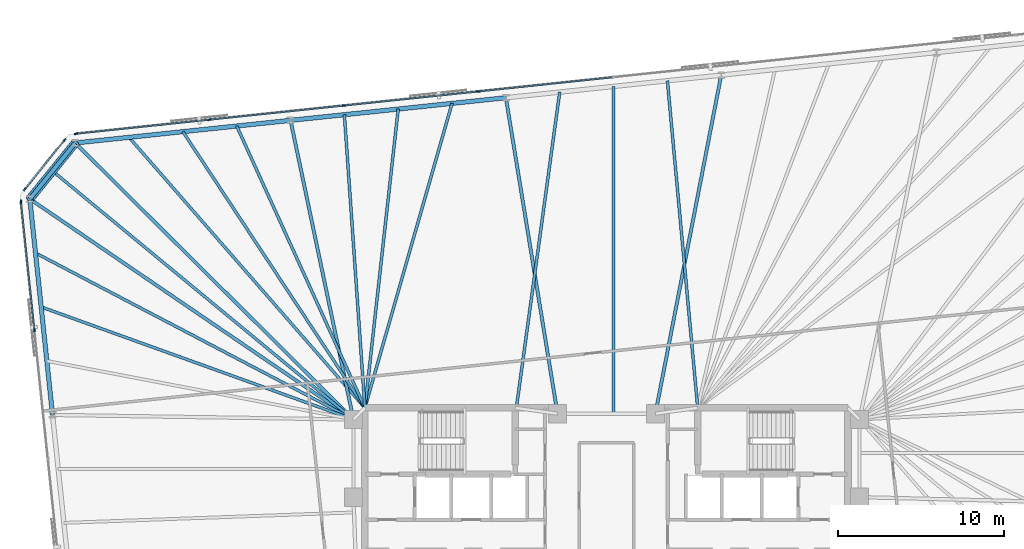
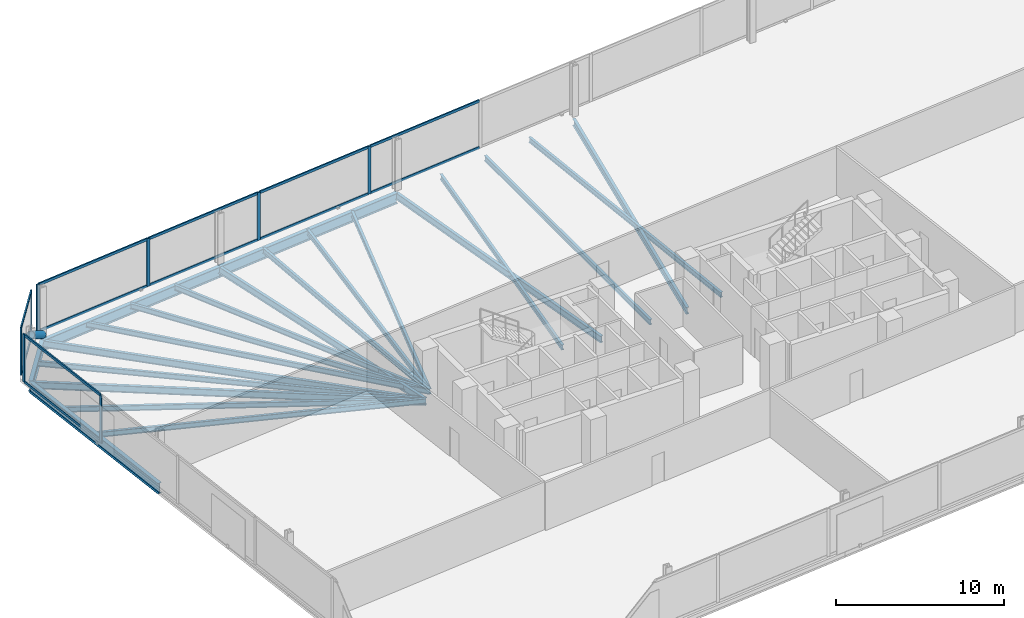
# One storey, part 9 of 17: 21 beams, 21 members, 3 elements without a shape of their own.
"""IFC4 building model written with IfcOpenShell, lengths in metres."""

from ifc_helpers import new_model, si_unit, direction, frame, origin, origin_2d, place, context, subcontext, project, spatial, rectangle, hollow_circle, i_section, extrude, material, material_profile, profile_set, type_object, element, aggregate, save


model = new_model("IFC4")

# Units and contexts
model_context = context("Model", 3, precision=1e-05, world=origin(), true_north=direction((0.0, 1.0)))
body_context = subcontext(model_context, "Body", "Model", "MODEL_VIEW")
ifc_project = project(units=[si_unit("LENGTHUNIT", "METRE"), si_unit("AREAUNIT", "SQUARE_METRE"), si_unit("VOLUMEUNIT", "CUBIC_METRE"), si_unit("PLANEANGLEUNIT", "RADIAN"), si_unit("MASSUNIT", "GRAM", prefix="KILO")], contexts=[model_context])

# Site, building, storey
site_placement = place(None, origin())
site = spatial("IfcSite", under=ifc_project, at=site_placement, CompositionType="ELEMENT")
building_placement = place(site_placement, origin())
building = spatial("IfcBuilding", under=site, at=building_placement, Name="Menara Jurai Vektor", CompositionType="ELEMENT")
storey_placement = place(building_placement, frame((0.0, 0.0, 109.60009765625)))
storey = spatial("IfcBuildingStorey", under=building, at=storey_placement, Name="L27", CompositionType="ELEMENT", Elevation=109.60009765625)

# Curtain wall, members
ifc_material_1 = material(Name="Anodised Pale Aluminium & Low-E Double Glazing", Category="aluminium")
curtain_wall_type = type_object("IfcCurtainWallType", Name="CW-BLK2", PredefinedType="NOTDEFINED", material=ifc_material_1)
curtain_wall_1_placement = place(storey_placement, origin())
curtain_wall_1 = element("IfcCurtainWall", 1, at=curtain_wall_1_placement, inside=storey, type_object=curtain_wall_type, Name="Unitised Curtain Wall L27 F05", PredefinedType="NOTDEFINED")
ifc_material_2 = material(Name="Anodised Pale Aluminium Mullion", Category="aluminium")
ifc_material_profile_1 = material_profile(ifc_material_2, rectangle(XDim=0.090087890625, YDim=0.219970703125, at=origin_2d()), Name="ALU MUL 90x220")
ifc_profile_set_1 = profile_set([ifc_material_profile_1], Name="Anodised Pale Aluminium Mullion")
member_type_1 = type_object("IfcMemberType", Name="CW-BLK2-MUL", PredefinedType="MULLION", material=ifc_profile_set_1)
member_1_placement = place(storey_placement, frame((-7.728271484375, 24.67138671875, 0.0), z_axis=(0.0, 0.0, 1.0), x_axis=(0.104528634935, -0.994521877325, 0.0)))
member_1 = element("IfcMember", 2, at=member_1_placement, type_object=member_type_1, Name="CW-02 mullion 6", PredefinedType="MULLION", context=body_context, shape_type="SweptSolid", body=[
    extrude(rectangle(XDim=0.090087890625, YDim=0.219970703125, at=origin_2d()), origin(), (0.0, 0.0, 1.0), 3.474853515625),
])
member_2_placement = place(storey_placement, frame((-15.826171875, 23.8203125, 0.0), z_axis=(0.0, 0.0, 1.0), x_axis=(0.104528634935, -0.994521877325, 0.0)))
member_2 = element("IfcMember", 3, at=member_2_placement, type_object=member_type_1, Name="CW-02 mullion 7", PredefinedType="MULLION", context=body_context, shape_type="SweptSolid", body=[
    extrude(rectangle(XDim=0.090087890625, YDim=0.219970703125, at=origin_2d()), origin(), (0.0, 0.0, 1.0), 3.474853515625),
])
member_3_placement = place(storey_placement, frame((-23.924072265625, 22.96923828125, 0.0), z_axis=(0.0, 0.0, 1.0), x_axis=(0.104528634935, -0.994521877325, 0.0)))
member_3 = element("IfcMember", 4, at=member_3_placement, type_object=member_type_1, Name="CW-02 mullion 8", PredefinedType="MULLION", context=body_context, shape_type="SweptSolid", body=[
    extrude(rectangle(XDim=0.090087890625, YDim=0.219970703125, at=origin_2d()), origin(), (0.0, 0.0, 1.0), 3.474853515625),
])
member_4_placement = place(storey_placement, frame((-31.97705078125, 22.122802734375, 0.0), z_axis=(0.0, 0.0, 1.0), x_axis=(0.104528634935, -0.994521877325, 0.0)))
member_4 = element("IfcMember", 5, at=member_4_placement, type_object=member_type_1, Name="CW-02 mullion 9", PredefinedType="MULLION", context=body_context, shape_type="SweptSolid", body=[
    extrude(rectangle(XDim=0.090087890625, YDim=0.219970703125, at=origin_2d()), origin(), (0.0, 0.0, 1.0), 3.474853515625),
])

curtain_wall_2_placement = place(storey_placement, origin())
curtain_wall_2 = element("IfcCurtainWall", 6, at=curtain_wall_2_placement, inside=storey, type_object=curtain_wall_type, Name="Unitised Curtain Wall L27 F06", PredefinedType="NOTDEFINED")
member_5_placement = place(storey_placement, frame((-32.667236328125, 21.748046875, 0.0), z_axis=(0.0, 0.0, 1.0), x_axis=(0.777129222223, -0.62934106172, 0.0)))
member_5 = element("IfcMember", 7, at=member_5_placement, type_object=member_type_1, Name="CW-02 mullion 1", PredefinedType="MULLION", context=body_context, shape_type="SweptSolid", body=[
    extrude(rectangle(XDim=0.090087890625, YDim=0.219970703125, at=origin_2d()), origin(), (0.0, 0.0, 1.0), 3.474853515625),
])
member_6_placement = place(storey_placement, frame((-35.0693359375, 18.781982421875, 0.0), z_axis=(0.0, 0.0, 1.0), x_axis=(0.777129222223, -0.62934106172, 0.0)))
member_6 = element("IfcMember", 8, at=member_6_placement, type_object=member_type_1, Name="CW-02 mullion 2", PredefinedType="MULLION", context=body_context, shape_type="SweptSolid", body=[
    extrude(rectangle(XDim=0.090087890625, YDim=0.219970703125, at=origin_2d()), origin(), (0.0, 0.0, 1.0), 3.474853515625),
])

curtain_wall_3_placement = place(storey_placement, origin())
curtain_wall_3 = element("IfcCurtainWall", 9, at=curtain_wall_3_placement, inside=storey, type_object=curtain_wall_type, Name="Unitised Curtain Wall L27 F07", PredefinedType="NOTDEFINED")
member_7_placement = place(storey_placement, frame((-35.29248046875, 18.029052734375, 0.0), z_axis=(0.0, 0.0, 1.0), x_axis=(0.99452177832, 0.104529576902, 0.0)))
member_7 = element("IfcMember", 10, at=member_7_placement, type_object=member_type_1, Name="CW-02 mullion 1", PredefinedType="MULLION", context=body_context, shape_type="SweptSolid", body=[
    extrude(rectangle(XDim=0.090087890625, YDim=0.219970703125, at=origin_2d()), origin(), (0.0, 0.0, 1.0), 3.474853515625),
])
member_8_placement = place(storey_placement, frame((-34.478759765625, 10.28857421875, 0.0), z_axis=(0.0, 0.0, 1.0), x_axis=(0.99452177832, 0.104529576902, 0.0)))
member_8 = element("IfcMember", 11, at=member_8_placement, type_object=member_type_1, Name="CW-02 mullion 2", PredefinedType="MULLION", context=body_context, shape_type="SweptSolid", body=[
    extrude(rectangle(XDim=0.090087890625, YDim=0.219970703125, at=origin_2d()), origin(), (0.0, 0.0, 1.0), 3.474853515625),
])

# Member
ifc_material_3 = material(Name="Anodised Pale Aluminium Transom", Category="aluminium")
ifc_material_profile_2 = material_profile(ifc_material_3, rectangle(XDim=0.090087890625, YDim=0.18505859375, at=origin_2d()), Name="ALU TRN 90x185")
ifc_profile_set_2 = profile_set([ifc_material_profile_2], Name="Anodised Pale Aluminium Transom")
member_type_2 = type_object("IfcMemberType", Name="CW-BLK2-TRN", PredefinedType="USERDEFINED", material=ifc_profile_set_2)
member_9_placement = place(storey_placement, frame((0.324951171875, 25.517822265625, 0.044921875), z_axis=(-0.99452387809, -0.104509597213, 0.0), x_axis=(0.104509597213, -0.99452387809, 0.0)))
member_9 = element("IfcMember", 12, at=member_9_placement, type_object=member_type_2, Name="CW-02 transom 5.1", ObjectType="TRANSOM", PredefinedType="USERDEFINED", context=body_context, shape_type="SweptSolid", body=[
    extrude(rectangle(XDim=0.090087890625, YDim=0.18505859375, at=origin_2d()), origin(), (0.0, 0.0, 1.0), 8.052490234375),
])

member_10_placement = place(storey_placement, frame((0.324951171875, 25.517822265625, 3.429931640625), z_axis=(-0.99452387809, -0.104509597213, 0.0), x_axis=(0.104509597213, -0.99452387809, 0.0)))
member_10 = element("IfcMember", 13, at=member_10_placement, type_object=member_type_2, Name="CW-02 transom 5.2", ObjectType="TRANSOM", PredefinedType="USERDEFINED", context=body_context, shape_type="SweptSolid", body=[
    extrude(rectangle(XDim=0.090087890625, YDim=0.18505859375, at=origin_2d()), origin(), (0.0, 0.0, 1.0), 8.052490234375),
])

member_11_placement = place(storey_placement, frame((-7.77294921875, 24.666748046875, 0.044921875), z_axis=(-0.994520726373, -0.10453958492, 0.0), x_axis=(0.10453958492, -0.994520726373, 0.0)))
member_11 = element("IfcMember", 14, at=member_11_placement, type_object=member_type_2, Name="CW-02 transom 6.1", ObjectType="TRANSOM", PredefinedType="USERDEFINED", context=body_context, shape_type="SweptSolid", body=[
    extrude(rectangle(XDim=0.090087890625, YDim=0.18505859375, at=origin_2d()), origin(), (0.0, 0.0, 1.0), 8.052490234375),
])

member_12_placement = place(storey_placement, frame((-7.77294921875, 24.666748046875, 3.429931640625), z_axis=(-0.994520726373, -0.10453958492, 0.0), x_axis=(0.10453958492, -0.994520726373, 0.0)))
member_12 = element("IfcMember", 15, at=member_12_placement, type_object=member_type_2, Name="CW-02 transom 6.2", ObjectType="TRANSOM", PredefinedType="USERDEFINED", context=body_context, shape_type="SweptSolid", body=[
    extrude(rectangle(XDim=0.090087890625, YDim=0.18505859375, at=origin_2d()), origin(), (0.0, 0.0, 1.0), 8.052490234375),
])

member_13_placement = place(storey_placement, frame((-15.870849609375, 23.815673828125, 0.044921875), z_axis=(-0.994520726373, -0.10453958492, 0.0), x_axis=(0.10453958492, -0.994520726373, 0.0)))
member_13 = element("IfcMember", 16, at=member_13_placement, type_object=member_type_2, Name="CW-02 transom 7.1", ObjectType="TRANSOM", PredefinedType="USERDEFINED", context=body_context, shape_type="SweptSolid", body=[
    extrude(rectangle(XDim=0.090087890625, YDim=0.18505859375, at=origin_2d()), origin(), (0.0, 0.0, 1.0), 8.052490234375),
])

member_14_placement = place(storey_placement, frame((-15.870849609375, 23.815673828125, 3.429931640625), z_axis=(-0.994520726373, -0.10453958492, 0.0), x_axis=(0.10453958492, -0.994520726373, 0.0)))
member_14 = element("IfcMember", 17, at=member_14_placement, type_object=member_type_2, Name="CW-02 transom 7.2", ObjectType="TRANSOM", PredefinedType="USERDEFINED", context=body_context, shape_type="SweptSolid", body=[
    extrude(rectangle(XDim=0.090087890625, YDim=0.18505859375, at=origin_2d()), origin(), (0.0, 0.0, 1.0), 8.052490234375),
])

member_15_placement = place(storey_placement, frame((-23.96875, 22.964599609375, 0.044921875), z_axis=(-0.994519977808, -0.104546706027, 0.0), x_axis=(0.104546706027, -0.994519977808, 0.0)))
member_15 = element("IfcMember", 18, at=member_15_placement, type_object=member_type_2, Name="CW-02 transom 8.1", ObjectType="TRANSOM", PredefinedType="USERDEFINED", context=body_context, shape_type="SweptSolid", body=[
    extrude(rectangle(XDim=0.090087890625, YDim=0.18505859375, at=origin_2d()), origin(), (0.0, 0.0, 1.0), 8.007568359375),
])

member_16_placement = place(storey_placement, frame((-23.96875, 22.964599609375, 3.429931640625), z_axis=(-0.994519977808, -0.104546706027, 0.0), x_axis=(0.104546706027, -0.994519977808, 0.0)))
member_16 = element("IfcMember", 19, at=member_16_placement, type_object=member_type_2, Name="CW-02 transom 8.2", ObjectType="TRANSOM", PredefinedType="USERDEFINED", context=body_context, shape_type="SweptSolid", body=[
    extrude(rectangle(XDim=0.090087890625, YDim=0.18505859375, at=origin_2d()), origin(), (0.0, 0.0, 1.0), 8.007568359375),
])

aggregate(curtain_wall_1, [member_1, member_2, member_3, member_4, member_9, member_10, member_11, member_12, member_13, member_14, member_15, member_16])

member_17_placement = place(storey_placement, frame((-32.695556640625, 21.713134765625, 0.044921875), z_axis=(-0.6293414396, -0.777128916205, 0.0), x_axis=(0.777128916205, -0.6293414396, 0.0)))
member_17 = element("IfcMember", 20, at=member_17_placement, type_object=member_type_2, Name="CW-02 transom 1.1", ObjectType="TRANSOM", PredefinedType="USERDEFINED", context=body_context, shape_type="SweptSolid", body=[
    extrude(rectangle(XDim=0.090087890625, YDim=0.18505859375, at=origin_2d()), origin(), (0.0, 0.0, 1.0), 3.726806640625),
])

member_18_placement = place(storey_placement, frame((-32.695556640625, 21.713134765625, 3.429931640625), z_axis=(-0.6293414396, -0.777128916205, 0.0), x_axis=(0.777128916205, -0.6293414396, 0.0)))
member_18 = element("IfcMember", 21, at=member_18_placement, type_object=member_type_2, Name="CW-02 transom 1.2", ObjectType="TRANSOM", PredefinedType="USERDEFINED", context=body_context, shape_type="SweptSolid", body=[
    extrude(rectangle(XDim=0.090087890625, YDim=0.18505859375, at=origin_2d()), origin(), (0.0, 0.0, 1.0), 3.726806640625),
])

aggregate(curtain_wall_2, [member_5, member_6, member_17, member_18])

member_19_placement = place(storey_placement, frame((-35.28759765625, 17.984130859375, 0.044921875), z_axis=(0.104504716935, -0.994524390922, 0.0), x_axis=(0.994524390922, 0.104504716935, 0.0)))
member_19 = element("IfcMember", 22, at=member_19_placement, type_object=member_type_2, Name="CW-02 transom 1.1", ObjectType="TRANSOM", PredefinedType="USERDEFINED", context=body_context, shape_type="SweptSolid", body=[
    extrude(rectangle(XDim=0.090087890625, YDim=0.18505859375, at=origin_2d()), origin(), (0.0, 0.0, 1.0), 7.693115234375),
])

member_20_placement = place(storey_placement, frame((-35.28759765625, 17.984130859375, 3.429931640625), z_axis=(0.104504716935, -0.994524390922, 0.0), x_axis=(0.994524390922, 0.104504716935, 0.0)))
member_20 = element("IfcMember", 23, at=member_20_placement, type_object=member_type_2, Name="CW-02 transom 1.2", ObjectType="TRANSOM", PredefinedType="USERDEFINED", context=body_context, shape_type="SweptSolid", body=[
    extrude(rectangle(XDim=0.090087890625, YDim=0.18505859375, at=origin_2d()), origin(), (0.0, 0.0, 1.0), 7.693115234375),
])

aggregate(curtain_wall_3, [member_7, member_8, member_19, member_20])

# Beams
ifc_material_4 = material(Name="Steel S355", Category="steel")
ifc_material_profile_3 = material_profile(ifc_material_4, i_section(OverallWidth=0.199951171875, OverallDepth=0.5, WebThickness=0.011962890625, FlangeThickness=0.02001953125, at=origin_2d()), Name="PG 500x200x96")
ifc_profile_set_3 = profile_set([ifc_material_profile_3], Name="Steel S355")
beam_type_1 = type_object("IfcBeamType", Name="STR-BM-500", PredefinedType="BEAM", material=ifc_profile_set_3)
beam_1_placement = place(storey_placement, frame((6.9169921875, 25.65771484375, -0.47509765625), z_axis=(-0.190817481746, -0.981625533826, 0.0), x_axis=(0.981625533826, -0.190817481746, 0.0)))
element("IfcBeam", 24, at=beam_1_placement, inside=storey, type_object=beam_type_1, Name="Radial Floor Girder L27-N3", PredefinedType="BEAM", context=body_context, shape_type="SweptSolid", body=[
    extrude(i_section(OverallWidth=0.199951171875, OverallDepth=0.5, WebThickness=0.011962890625, FlangeThickness=0.02001953125, at=origin_2d()), origin(), (0.0, 0.0, 1.0), 20.789794921875),
])
beam_2_placement = place(storey_placement, frame((-6.0625, 24.29345703125, -0.47509765625), z_axis=(0.161304178177, -0.986904738109, 0.0), x_axis=(0.986904738109, 0.161304178177, 0.0)))
element("IfcBeam", 25, at=beam_2_placement, inside=storey, type_object=beam_type_1, Name="Radial Floor Girder L27-N4", PredefinedType="BEAM", context=body_context, shape_type="SweptSolid", body=[
    extrude(i_section(OverallWidth=0.199951171875, OverallDepth=0.5, WebThickness=0.011962890625, FlangeThickness=0.02001953125, at=origin_2d()), origin(), (0.0, 0.0, 1.0), 19.296142578125),
])
beam_3_placement = place(storey_placement, frame((-19.042236328125, 22.92919921875, -0.47509765625), z_axis=(0.205833499861, -0.978587027471, 0.0), x_axis=(0.978587027471, 0.205833499861, 0.0)))
element("IfcBeam", 26, at=beam_3_placement, inside=storey, type_object=beam_type_1, Name="Radial Floor Girder L27-N5", PredefinedType="BEAM", context=body_context, shape_type="SweptSolid", body=[
    extrude(i_section(OverallWidth=0.199951171875, OverallDepth=0.5, WebThickness=0.011962890625, FlangeThickness=0.02001953125, at=origin_2d()), origin(), (0.0, 0.0, 1.0), 18.423828125),
])
beam_4_placement = place(storey_placement, frame((-32.02197265625, 21.565185546875, -0.47509765625), z_axis=(0.709359361276, -0.704847002242, 0.0), x_axis=(0.704847002242, 0.709359361276, 0.0)))
element("IfcBeam", 27, at=beam_4_placement, inside=storey, type_object=beam_type_1, Name="Radial Floor Girder L27-N6", PredefinedType="BEAM", context=body_context, shape_type="SweptSolid", body=[
    extrude(i_section(OverallWidth=0.199951171875, OverallDepth=0.5, WebThickness=0.011962890625, FlangeThickness=0.02001953125, at=origin_2d()), origin(), (0.0, 0.0, 1.0), 23.643798828125),
])
beam_5_placement = place(storey_placement, frame((-34.756103515625, 18.188720703125, -0.47509765625), z_axis=(0.826440214756, -0.563024485643, 0.0), x_axis=(0.563024485643, 0.826440214756, 0.0)))
element("IfcBeam", 28, at=beam_5_placement, inside=storey, type_object=beam_type_1, Name="Radial Floor Girder L27-W1", PredefinedType="BEAM", context=body_context, shape_type="SweptSolid", body=[
    extrude(i_section(OverallWidth=0.199951171875, OverallDepth=0.5, WebThickness=0.011962890625, FlangeThickness=0.02001953125, at=origin_2d()), origin(), (0.0, 0.0, 1.0), 23.6025390625),
])

# Member
ifc_material_5 = material(Name="Steel S460", Category="steel")
ifc_material_profile_4 = material_profile(ifc_material_5, hollow_circle(Radius=0.25390625, WallThickness=0.02001953125, at=origin_2d()), Name="CHS 508x20")
ifc_profile_set_4 = profile_set([ifc_material_profile_4], Name="Steel S460")
member_type_3 = type_object("IfcMemberType", Name="STR-BR-508", PredefinedType="BRACE", material=ifc_profile_set_4)
member_21_placement = place(storey_placement, frame((-32.02197265625, 21.565185546875, 0.14990234375), z_axis=(-0.519237856236, -0.641223283484, 0.564999778203), x_axis=(0.777154568396, -0.629309762217, 0.0)))
element("IfcMember", 29, at=member_21_placement, inside=storey, type_object=member_type_3, Name="Exoskeleton Corner Brace L27-3", PredefinedType="BRACE", context=body_context, shape_type="SweptSolid", body=[
    extrude(hollow_circle(Radius=0.25390625, WallThickness=0.02001953125, at=origin_2d()), origin(), (0.0, 0.0, 1.0), 5.265625),
])

# Beams
ifc_material_profile_5 = material_profile(ifc_material_4, i_section(OverallWidth=0.175048828125, OverallDepth=0.3798828125, WebThickness=0.010009765625, FlangeThickness=0.014892578125, at=origin_2d()), Name="PG 380x175x58")
ifc_profile_set_5 = profile_set([ifc_material_profile_5], Name="Steel S355")
beam_type_2 = type_object("IfcBeamType", Name="STR-JS-380", PredefinedType="JOIST", material=ifc_profile_set_5)
beam_6_placement = place(storey_placement, frame((3.672119140625, 25.316650390625, -0.4150390625), z_axis=(0.092312082085, -0.995730123829, 0.0), x_axis=(0.995730123829, 0.092312082085, 0.0)))
element("IfcBeam", 30, at=beam_6_placement, inside=storey, type_object=beam_type_2, Name="Radial Secondary Floor Joist L27-JS26", PredefinedType="JOIST", context=body_context, shape_type="SweptSolid", body=[
    extrude(i_section(OverallWidth=0.175048828125, OverallDepth=0.3798828125, WebThickness=0.010009765625, FlangeThickness=0.014892578125, at=origin_2d()), origin(), (0.0, 0.0, 1.0), 19.801025390625),
])
beam_7_placement = place(storey_placement, frame((0.42724609375, 24.9755859375, -0.4150390625), z_axis=(0.0, -1.0, 0.0), x_axis=(1.0, 0.0, 0.0)))
element("IfcBeam", 31, at=beam_7_placement, inside=storey, type_object=beam_type_2, Name="Radial Secondary Floor Joist L27-JS27", PredefinedType="JOIST", context=body_context, shape_type="SweptSolid", body=[
    extrude(i_section(OverallWidth=0.175048828125, OverallDepth=0.3798828125, WebThickness=0.010009765625, FlangeThickness=0.014892578125, at=origin_2d()), origin(), (0.0, 0.0, 1.0), 19.7255859375),
])
beam_8_placement = place(storey_placement, frame((-2.817626953125, 24.634521484375, -0.4150390625), z_axis=(-0.135987109192, -0.990710606652, 0.0), x_axis=(0.990710606652, -0.135987109192, 0.0)))
element("IfcBeam", 32, at=beam_8_placement, inside=storey, type_object=beam_type_2, Name="Radial Secondary Floor Joist L27-JS28", PredefinedType="JOIST", context=body_context, shape_type="SweptSolid", body=[
    extrude(i_section(OverallWidth=0.175048828125, OverallDepth=0.3798828125, WebThickness=0.010009765625, FlangeThickness=0.014892578125, at=origin_2d()), origin(), (0.0, 0.0, 1.0), 19.222412109375),
])
beam_9_placement = place(storey_placement, frame((-9.3076171875, 23.952392578125, -0.4150390625), z_axis=(-0.275153530359, -0.961400298903, 0.0), x_axis=(0.961400298903, -0.275153530359, 0.0)))
element("IfcBeam", 33, at=beam_9_placement, inside=storey, type_object=beam_type_2, Name="Radial Secondary Floor Joist L27-JS29", PredefinedType="JOIST", context=body_context, shape_type="SweptSolid", body=[
    extrude(i_section(OverallWidth=0.175048828125, OverallDepth=0.3798828125, WebThickness=0.010009765625, FlangeThickness=0.014892578125, at=origin_2d()), origin(), (0.0, 0.0, 1.0), 19.089111328125),
])
beam_10_placement = place(storey_placement, frame((-12.552490234375, 23.611328125, -0.4150390625), z_axis=(-0.110776028048, -0.993845396231, 0.0), x_axis=(0.993845396231, -0.110776028048, 0.0)))
element("IfcBeam", 34, at=beam_10_placement, inside=storey, type_object=beam_type_2, Name="Radial Secondary Floor Joist L27-JS30", PredefinedType="JOIST", context=body_context, shape_type="SweptSolid", body=[
    extrude(i_section(OverallWidth=0.175048828125, OverallDepth=0.3798828125, WebThickness=0.010009765625, FlangeThickness=0.014892578125, at=origin_2d()), origin(), (0.0, 0.0, 1.0), 18.122802734375),
])
beam_11_placement = place(storey_placement, frame((-15.79736328125, 23.2705078125, -0.4150390625), z_axis=(0.069850249402, -0.997557488398, 0.0), x_axis=(0.997557488398, 0.069850249402, 0.0)))
element("IfcBeam", 35, at=beam_11_placement, inside=storey, type_object=beam_type_2, Name="Radial Secondary Floor Joist L27-JS31", PredefinedType="JOIST", context=body_context, shape_type="SweptSolid", body=[
    extrude(i_section(OverallWidth=0.175048828125, OverallDepth=0.3798828125, WebThickness=0.010009765625, FlangeThickness=0.014892578125, at=origin_2d()), origin(), (0.0, 0.0, 1.0), 17.713623046875),
])
beam_12_placement = place(storey_placement, frame((-22.287109375, 22.58837890625, -0.4150390625), z_axis=(0.414029617818, -0.910263409992, 0.0), x_axis=(0.910263409992, 0.414029617818, 0.0)))
element("IfcBeam", 36, at=beam_12_placement, inside=storey, type_object=beam_type_2, Name="Radial Secondary Floor Joist L27-JS32", PredefinedType="JOIST", context=body_context, shape_type="SweptSolid", body=[
    extrude(i_section(OverallWidth=0.175048828125, OverallDepth=0.3798828125, WebThickness=0.010009765625, FlangeThickness=0.014892578125, at=origin_2d()), origin(), (0.0, 0.0, 1.0), 18.6630859375),
])
beam_13_placement = place(storey_placement, frame((-25.531982421875, 22.247314453125, -0.4150390625), z_axis=(0.550309675793, -0.834960634239, 0.0), x_axis=(0.834960634239, 0.550309675793, 0.0)))
element("IfcBeam", 37, at=beam_13_placement, inside=storey, type_object=beam_type_2, Name="Radial Secondary Floor Joist L27-JS33", PredefinedType="JOIST", context=body_context, shape_type="SweptSolid", body=[
    extrude(i_section(OverallWidth=0.175048828125, OverallDepth=0.3798828125, WebThickness=0.010009765625, FlangeThickness=0.014892578125, at=origin_2d()), origin(), (0.0, 0.0, 1.0), 19.937744140625),
])
beam_14_placement = place(storey_placement, frame((-28.777099609375, 21.90625, -0.4150390625), z_axis=(0.657172520545, -0.753740192798, 0.0), x_axis=(0.753740192798, 0.657172520545, 0.0)))
element("IfcBeam", 38, at=beam_14_placement, inside=storey, type_object=beam_type_2, Name="Radial Secondary Floor Joist L27-JS34", PredefinedType="JOIST", context=body_context, shape_type="SweptSolid", body=[
    extrude(i_section(OverallWidth=0.175048828125, OverallDepth=0.3798828125, WebThickness=0.010009765625, FlangeThickness=0.014892578125, at=origin_2d()), origin(), (0.0, 0.0, 1.0), 21.633544921875),
])
beam_15_placement = place(storey_placement, frame((-33.388916015625, 19.876953125, -0.4150390625), z_axis=(0.771113505069, -0.636697700876, 0.0), x_axis=(0.636697700876, 0.771113505069, 0.0)))
element("IfcBeam", 39, at=beam_15_placement, inside=storey, type_object=beam_type_2, Name="Radial Secondary Floor Joist L27-JS35", PredefinedType="JOIST", context=body_context, shape_type="SweptSolid", body=[
    extrude(i_section(OverallWidth=0.175048828125, OverallDepth=0.3798828125, WebThickness=0.010009765625, FlangeThickness=0.014892578125, at=origin_2d()), origin(), (0.0, 0.0, 1.0), 23.52294921875),
])
beam_16_placement = place(storey_placement, frame((-34.414306640625, 14.935302734375, -0.4150390625), z_axis=(0.885889402471, -0.463896504179, 0.0), x_axis=(0.463896504179, 0.885889402471, 0.0)))
element("IfcBeam", 40, at=beam_16_placement, inside=storey, type_object=beam_type_2, Name="Radial Secondary Floor Joist L27-JS36", PredefinedType="JOIST", context=body_context, shape_type="SweptSolid", body=[
    extrude(i_section(OverallWidth=0.175048828125, OverallDepth=0.3798828125, WebThickness=0.010009765625, FlangeThickness=0.014892578125, at=origin_2d()), origin(), (0.0, 0.0, 1.0), 21.6328125),
])
beam_17_placement = place(storey_placement, frame((-34.072265625, 11.681884765625, -0.4150390625), z_axis=(0.940792327273, -0.338983475917, 0.0), x_axis=(0.338983475917, 0.940792327273, 0.0)))
element("IfcBeam", 41, at=beam_17_placement, inside=storey, type_object=beam_type_2, Name="Radial Secondary Floor Joist L27-JS37", PredefinedType="JOIST", context=body_context, shape_type="SweptSolid", body=[
    extrude(i_section(OverallWidth=0.175048828125, OverallDepth=0.3798828125, WebThickness=0.010009765625, FlangeThickness=0.014892578125, at=origin_2d()), origin(), (0.0, 0.0, 1.0), 20.0068359375),
])
ifc_material_profile_6 = material_profile(ifc_material_5, i_section(OverallWidth=0.26806640625, OverallDepth=0.77001953125, WebThickness=0.01611328125, FlangeThickness=0.02490234375, FilletRadius=0.01708984375, at=origin_2d()), Name="UKB 762x267x197")
ifc_profile_set_6 = profile_set([ifc_material_profile_6], Name="Steel S460")
beam_type_3 = type_object("IfcBeamType", Name="STR-SP-762", PredefinedType="SPANDREL", material=ifc_profile_set_6)
for number, where, z_axis, x_axis, name in (
    (42, (-6.0625, 24.29345703125, -0.610107421875), (-0.994521636083, -0.104530930169, 0.0), (0.104530930169, -0.994521636083, 0.0), "Exoskeleton Spandrel Beam L27-14"),
    (43, (-19.042236328125, 22.92919921875, -0.610107421875), (-0.994523580592, -0.104512428191, 0.0), (0.104512428191, -0.994523580592, 0.0), "Exoskeleton Spandrel Beam L27-15"),
):
    element("IfcBeam", number, at=place(storey_placement, frame(where, z_axis=z_axis, x_axis=x_axis)), inside=storey, type_object=beam_type_3, Name=name, PredefinedType="SPANDREL", context=body_context, shape_type="SweptSolid", body=[
        extrude(i_section(OverallWidth=0.26806640625, OverallDepth=0.77001953125, WebThickness=0.01611328125, FlangeThickness=0.02490234375, FilletRadius=0.01708984375, at=origin_2d()), origin(), (0.0, 0.0, 1.0), 13.05126953125),
    ])
beam_18_placement = place(storey_placement, frame((-32.02197265625, 21.565185546875, -0.610107421875), z_axis=(-0.629309762217, -0.777154568396, 0.0), x_axis=(0.777154568396, -0.629309762217, 0.0)))
element("IfcBeam", 44, at=beam_18_placement, inside=storey, type_object=beam_type_3, Name="Exoskeleton Spandrel Beam L27-16", PredefinedType="SPANDREL", context=body_context, shape_type="SweptSolid", body=[
    extrude(i_section(OverallWidth=0.26806640625, OverallDepth=0.77001953125, WebThickness=0.01611328125, FlangeThickness=0.02490234375, FilletRadius=0.01708984375, at=origin_2d()), origin(), (0.0, 0.0, 1.0), 4.3447265625),
])
beam_19_placement = place(storey_placement, frame((-34.756103515625, 18.188720703125, -0.610107421875), z_axis=(0.104538130097, -0.994520879296, 0.0), x_axis=(0.994520879296, 0.104538130097, 0.0)))
element("IfcBeam", 45, at=beam_19_placement, inside=storey, type_object=beam_type_3, Name="Exoskeleton Spandrel Beam L27-17", PredefinedType="SPANDREL", context=body_context, shape_type="SweptSolid", body=[
    extrude(i_section(OverallWidth=0.26806640625, OverallDepth=0.77001953125, WebThickness=0.01611328125, FlangeThickness=0.02490234375, FilletRadius=0.01708984375, at=origin_2d()), origin(), (0.0, 0.0, 1.0), 13.08544921875),
])

save(model, "model.ifc")
